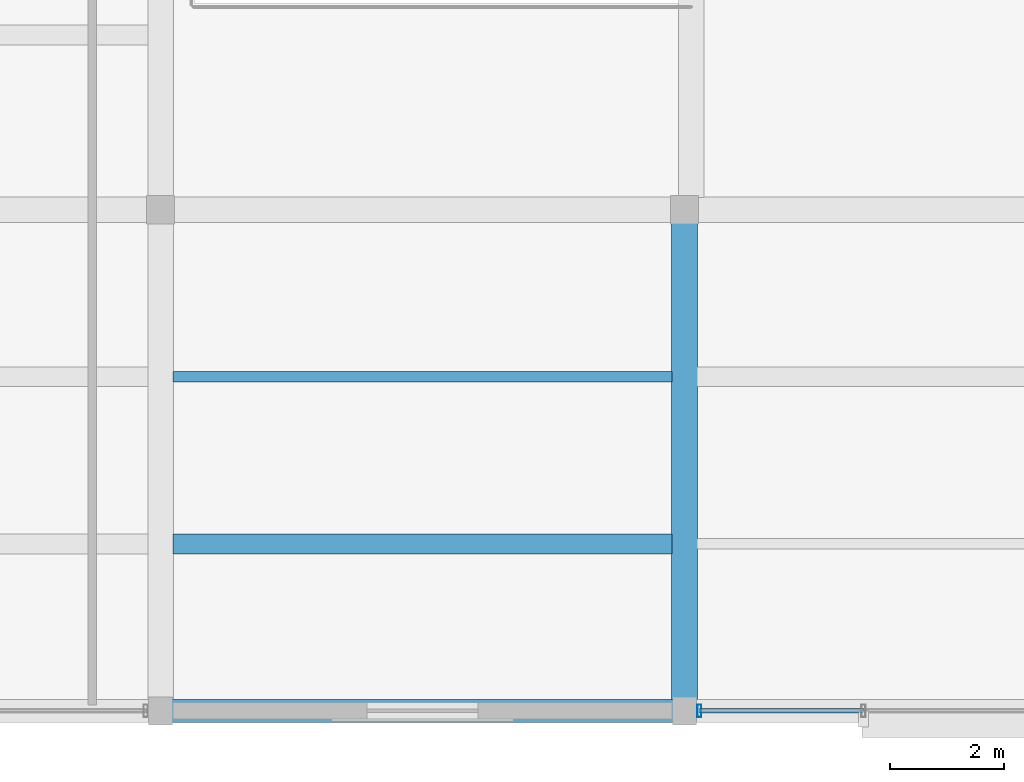
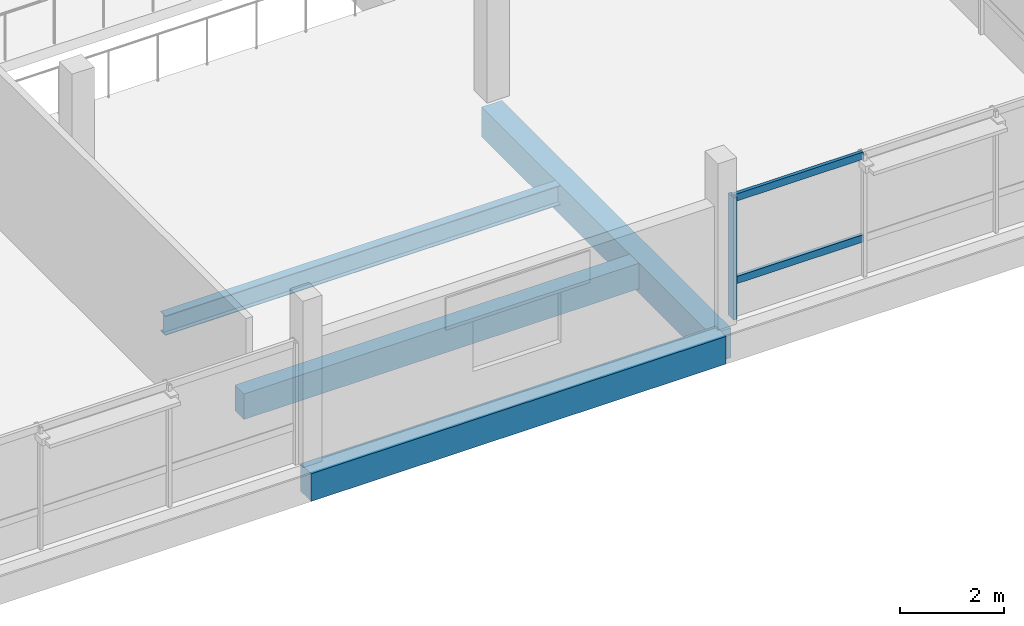
# One storey, part 12 of 62: 4 beams, 3 members, 1 element without a shape of its own.
"""IFC4 building model written with IfcOpenShell, lengths in metres."""

from ifc_helpers import new_model, si_unit, direction, frame, origin, origin_2d, place, context, subcontext, project, spatial, rectangle, hollow_rectangle, i_section, extrude, material, layer, layer_set, material_profile, profile_set, type_object, element, aggregate, save


model = new_model("IFC4")

# Units and contexts
model_context = context("Model", 3, precision=1e-05, world=origin(), true_north=direction((0.0, 1.0)))
body_context = subcontext(model_context, "Body", "Model", "MODEL_VIEW")
ifc_project = project(units=[si_unit("LENGTHUNIT", "METRE"), si_unit("AREAUNIT", "SQUARE_METRE"), si_unit("VOLUMEUNIT", "CUBIC_METRE"), si_unit("PLANEANGLEUNIT", "RADIAN"), si_unit("MASSUNIT", "GRAM", prefix="KILO")], contexts=[model_context])

# Site, building, storey
site_placement = place(None, origin())
site = spatial("IfcSite", under=ifc_project, at=site_placement, CompositionType="ELEMENT")
building_placement = place(site_placement, origin())
building = spatial("IfcBuilding", under=site, at=building_placement, Name="Meriwether Solvik Hall", CompositionType="ELEMENT")
storey_placement = place(building_placement, frame((0.0, 0.0, 14.39990234375)))
storey = spatial("IfcBuildingStorey", under=building, at=storey_placement, Name="L03", CompositionType="ELEMENT", Elevation=14.39990234375)

# Beams
ifc_material_1 = material(Name="Concrete C40/50", Category="concrete")
ifc_material_profile_1 = material_profile(ifc_material_1, rectangle(XDim=0.35009765625, YDim=0.60009765625, at=origin_2d()), Name="RCB-350X600")
ifc_profile_set_1 = profile_set([ifc_material_profile_1], Name="Concrete C40/50")
beam_type_1 = type_object("IfcBeamType", Name="BM-RC-350X600", PredefinedType="JOIST", material=ifc_profile_set_1)
beam_1_placement = place(storey_placement, frame((96.02001953125, 8.13330078125, -0.544921875), z_axis=(1.0, 0.0, 0.0), x_axis=(0.0, 1.0, 0.0)))
element("IfcBeam", 1, at=beam_1_placement, inside=storey, type_object=beam_type_1, Name="Secondary Floor Joist 11/A_J1 (L03)", PredefinedType="JOIST", context=body_context, shape_type="SweptSolid", body=[
    extrude(rectangle(XDim=0.35009765625, YDim=0.60009765625, at=origin_2d()), origin(), (0.0, 0.0, 1.0), 8.760009765625),
])
ifc_material_2 = material(Name="Concrete C40/50", Category="concrete")
ifc_material_profile_2 = material_profile(ifc_material_2, rectangle(XDim=0.39990234375, YDim=0.64990234375, at=origin_2d()), Name="RCB-400X650")
ifc_profile_set_2 = profile_set([ifc_material_profile_2], Name="Concrete C40/50")
beam_type_2 = type_object("IfcBeamType", Name="BM-RC-400X650", PredefinedType="SPANDREL", material=ifc_profile_set_2)
beam_2_placement = place(storey_placement, frame((95.800048828125, 5.199951171875, -0.56982421875), z_axis=(1.0, 0.0, 0.0), x_axis=(0.0, 1.0, 0.0)))
element("IfcBeam", 2, at=beam_2_placement, inside=storey, type_object=beam_type_2, Name="Podium Girder A:11-12 (L03)", PredefinedType="SPANDREL", context=body_context, shape_type="SweptSolid", body=[
    extrude(rectangle(XDim=0.39990234375, YDim=0.64990234375, at=origin_2d()), origin(), (0.0, 0.0, 1.0), 9.199951171875),
])
ifc_material_3 = material(Name="Concrete C40/50", Category="concrete")
ifc_material_profile_3 = material_profile(ifc_material_3, rectangle(XDim=0.449951171875, YDim=0.699951171875, at=origin_2d()), Name="RCB-450X700")
ifc_profile_set_3 = profile_set([ifc_material_profile_3], Name="Concrete C40/50")
beam_type_3 = type_object("IfcBeamType", Name="BM-RC-450X700", PredefinedType="BEAM", material=ifc_profile_set_3)
beam_3_placement = place(storey_placement, frame((105.0, 5.199951171875, -0.594970703125), z_axis=(0.0, 1.0, 0.0), x_axis=(-1.0, 0.0, 0.0)))
element("IfcBeam", 3, at=beam_3_placement, inside=storey, type_object=beam_type_3, Name="Podium Girder 12:A-B (L03)", PredefinedType="BEAM", context=body_context, shape_type="SweptSolid", body=[
    extrude(rectangle(XDim=0.449951171875, YDim=0.699951171875, at=origin_2d()), origin(), (0.0, 0.0, 1.0), 8.800048828125),
])
ifc_material_4 = material(Name="Steel A992 Grade 50", Category="steel")
ifc_material_profile_4 = material_profile(ifc_material_4, i_section(OverallWidth=0.19091796875, OverallDepth=0.45703125, WebThickness=0.009033203125, FlangeThickness=0.014404296875, at=origin_2d()), Name="W18X50")
ifc_profile_set_4 = profile_set([ifc_material_profile_4], Name="Steel A992 Grade 50")
beam_type_4 = type_object("IfcBeamType", Name="BM-STL-W18X50", PredefinedType="JOIST", material=ifc_profile_set_4)
beam_4_placement = place(storey_placement, frame((96.02001953125, 11.066650390625, -0.473388671875), z_axis=(1.0, 0.0, 0.0), x_axis=(0.0, 1.0, 0.0)))
element("IfcBeam", 4, at=beam_4_placement, inside=storey, type_object=beam_type_4, Name="Secondary Floor Joist 11/A_J2 (L03)", PredefinedType="JOIST", context=body_context, shape_type="SweptSolid", body=[
    extrude(i_section(OverallWidth=0.19091796875, OverallDepth=0.45703125, WebThickness=0.009033203125, FlangeThickness=0.014404296875, at=origin_2d()), origin(), (0.0, 0.0, 1.0), 8.760009765625),
])

# Curtain wall, members
ifc_material_5 = material(Name="Thermally Broken Anodised Aluminium 6063-T6 and Low-E Glass", Category="aluminium")
ifc_layer = layer(ifc_material_5, 0.179931640625)
ifc_layer_set = layer_set([ifc_layer], Name="Thermally Broken Anodised Aluminium 6063-T6 and Low-E Glass")
curtain_wall_type = type_object("IfcCurtainWallType", Name="CW-UNIT-E", PredefinedType="USERDEFINED", material=ifc_layer_set)
curtain_wall_placement = place(storey_placement, origin())
curtain_wall = element("IfcCurtainWall", 5, at=curtain_wall_placement, inside=storey, type_object=curtain_wall_type, Name="Curtain Wall wing_XA_12_5 (L03)", ObjectType="UNITISED CURTAIN WALL", PredefinedType="USERDEFINED")
ifc_material_6 = material(Name="Anodised Aluminium 6063-T6", Category="aluminium")
ifc_material_profile_5 = material_profile(ifc_material_6, hollow_rectangle(XDim=0.074951171875, YDim=0.219970703125, WallThickness=0.005615234375, at=origin_2d()), Name="CWM-75X220")
ifc_profile_set_5 = profile_set([ifc_material_profile_5], Name="Anodised Aluminium 6063-T6")
member_type_1 = type_object("IfcMemberType", Name="CW-MUL-75X220", PredefinedType="MULLION", material=ifc_profile_set_5)
member_1_placement = place(storey_placement, frame((105.260009765625, 5.199951171875, 0.0), z_axis=(0.0, 0.0, 1.0), x_axis=(-1.0, 0.0, 0.0)))
member_1 = element("IfcMember", 6, at=member_1_placement, type_object=member_type_1, Name="Curtain Wall Mullion 4", PredefinedType="MULLION", context=body_context, shape_type="SweptSolid", body=[
    extrude(hollow_rectangle(XDim=0.074951171875, YDim=0.219970703125, WallThickness=0.005615234375, at=origin_2d()), origin(), (0.0, 0.0, 1.0), 2.85498046875),
])
ifc_material_7 = material(Name="Anodised Aluminium 6063-T6", Category="aluminium")
ifc_material_profile_6 = material_profile(ifc_material_7, hollow_rectangle(XDim=0.074951171875, YDim=0.169921875, WallThickness=0.005615234375, at=origin_2d()), Name="CWT-75X170")
ifc_profile_set_6 = profile_set([ifc_material_profile_6], Name="Anodised Aluminium 6063-T6")
member_type_2 = type_object("IfcMemberType", Name="CW-TRN-75X170", PredefinedType="USERDEFINED", material=ifc_profile_set_6)
member_2_placement = place(storey_placement, frame((108.140625, 5.199951171875, 0.856689453125), z_axis=(-1.0, 0.0, 0.0), x_axis=(0.0, -1.0, 0.0)))
member_2 = element("IfcMember", 7, at=member_2_placement, type_object=member_type_2, Name="Curtain Wall Transom 3-sill", ObjectType="TRANSOM", PredefinedType="USERDEFINED", context=body_context, shape_type="SweptSolid", body=[
    extrude(hollow_rectangle(XDim=0.074951171875, YDim=0.169921875, WallThickness=0.005615234375, at=origin_2d()), origin(), (0.0, 0.0, 1.0), 2.880615234375),
])
member_3_placement = place(storey_placement, frame((108.140625, 5.199951171875, 2.795166015625), z_axis=(-1.0, 0.0, 0.0), x_axis=(0.0, -1.0, 0.0)))
member_3 = element("IfcMember", 8, at=member_3_placement, type_object=member_type_2, Name="Curtain Wall Transom 3-head", ObjectType="TRANSOM", PredefinedType="USERDEFINED", context=body_context, shape_type="SweptSolid", body=[
    extrude(hollow_rectangle(XDim=0.074951171875, YDim=0.169921875, WallThickness=0.005615234375, at=origin_2d()), origin(), (0.0, 0.0, 1.0), 2.880615234375),
])
aggregate(curtain_wall, [member_1, member_2, member_3])

save(model, "model.ifc")
